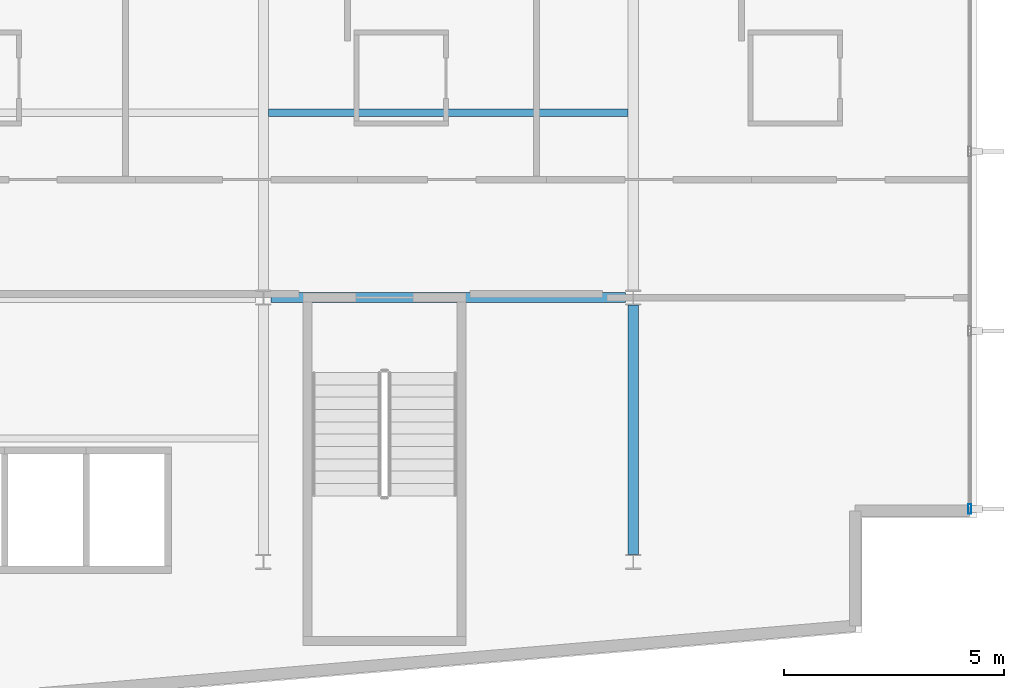
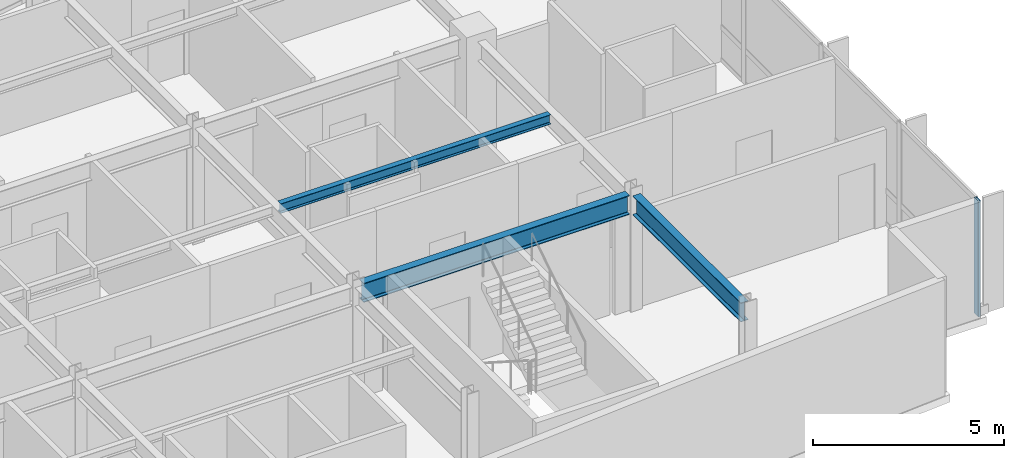
# One storey, part 4 of 20: 3 beams, 1 member, 1 element without a shape of its own.
"""IFC4 building model written with IfcOpenShell, lengths in metres."""

from ifc_helpers import new_model, si_unit, direction, frame, origin, origin_2d, place, context, subcontext, project, spatial, hollow_rectangle, i_section, extrude, material, layer, layer_set, material_profile, profile_set, type_object, element, aggregate, save


model = new_model("IFC4")

# Units and contexts
model_context = context("Model", 3, precision=1e-05, world=origin(), true_north=direction((0.0, 1.0)))
body_context = subcontext(model_context, "Body", "Model", "MODEL_VIEW")
ifc_project = project(units=[si_unit("LENGTHUNIT", "METRE"), si_unit("AREAUNIT", "SQUARE_METRE"), si_unit("VOLUMEUNIT", "CUBIC_METRE"), si_unit("PLANEANGLEUNIT", "RADIAN"), si_unit("MASSUNIT", "GRAM", prefix="KILO")], contexts=[model_context])

# Site, building, storey
site_placement = place(None, origin())
site = spatial("IfcSite", under=ifc_project, at=site_placement, CompositionType="ELEMENT")
building_placement = place(site_placement, origin())
building = spatial("IfcBuilding", under=site, at=building_placement, Name="Varnakote Quay Hospital", CompositionType="ELEMENT")
storey_placement = place(building_placement, frame((0.0, 0.0, 26.449951171875)))
storey = spatial("IfcBuildingStorey", under=building, at=storey_placement, Name="L06", CompositionType="ELEMENT", Elevation=26.449951171875)

# Beams
ifc_material_1 = material(Name="Structural steel AS/NZS 3679.1 Grade 350 L0 (fy 340 MPa)", Category="steel")
ifc_material_profile_1 = material_profile(ifc_material_1, i_section(OverallWidth=0.22900390625, OverallDepth=0.612060546875, WebThickness=0.011962890625, FlangeThickness=0.01953125, FilletRadius=0.013916015625, at=origin_2d()), Name="610UB125")
ifc_profile_set_1 = profile_set([ifc_material_profile_1], Name="Structural steel AS/NZS 3679.1 Grade 350 L0 (fy 340 MPa)")
beam_type_1 = type_object("IfcBeamType", Name="BM-STL-610UB125", PredefinedType="BEAM", material=ifc_profile_set_1)
beam_1_placement = place(storey_placement, frame((42.175048828125, 12.0, 3.404052734375), z_axis=(1.0, 0.0, 0.0), x_axis=(0.0, 1.0, 0.0)))
element("IfcBeam", 1, at=beam_1_placement, inside=storey, type_object=beam_type_1, Name="L06 Primary Floor Beam", PredefinedType="BEAM", context=body_context, shape_type="SweptSolid", body=[
    extrude(i_section(OverallWidth=0.22900390625, OverallDepth=0.612060546875, WebThickness=0.011962890625, FlangeThickness=0.01953125, FilletRadius=0.013916015625, at=origin_2d()), origin(), (0.0, 0.0, 1.0), 8.050048828125),
])
beam_2_placement = place(storey_placement, frame((50.39990234375, 6.169921875, 3.404052734375), z_axis=(0.0, 1.0, 0.0), x_axis=(-1.0, 0.0, 0.0)))
element("IfcBeam", 2, at=beam_2_placement, inside=storey, type_object=beam_type_1, Name="L06 Primary Tie Beam", PredefinedType="BEAM", context=body_context, shape_type="SweptSolid", body=[
    extrude(i_section(OverallWidth=0.22900390625, OverallDepth=0.612060546875, WebThickness=0.011962890625, FlangeThickness=0.01953125, FilletRadius=0.013916015625, at=origin_2d()), origin(), (0.0, 0.0, 1.0), 5.66015625),
])

# Curtain wall, member
ifc_material_2 = material(Name="Anodised aluminium 6063-T6 Bronze", Category="aluminium")
ifc_layer = layer(ifc_material_2, 0.18994140625)
ifc_layer_set = layer_set([ifc_layer], Name="Anodised aluminium 6063-T6 Bronze")
curtain_wall_type = type_object("IfcCurtainWallType", Name="CW-SYS-2", PredefinedType="NOTDEFINED", material=ifc_layer_set)
curtain_wall_placement = place(storey_placement, origin())
curtain_wall = element("IfcCurtainWall", 3, at=curtain_wall_placement, inside=storey, type_object=curtain_wall_type, Name="L06 Unitised Bronze Curtain Wall 1", PredefinedType="NOTDEFINED")
ifc_material_3 = material(Name="Anodised aluminium 6063-T6 Bronze", Category="aluminium")
ifc_material_profile_2 = material_profile(ifc_material_3, hollow_rectangle(XDim=0.074951171875, YDim=0.219970703125, WallThickness=0.00439453125, InnerFilletRadius=0.00439453125, OuterFilletRadius=0.009033203125, at=origin_2d()), Name="CW-MULL-220x75")
ifc_profile_set_2 = profile_set([ifc_material_profile_2], Name="Anodised aluminium 6063-T6 Bronze")
member_type = type_object("IfcMemberType", Name="CW-MULL-220x75", PredefinedType="MULLION", material=ifc_profile_set_2)
member_placement = place(storey_placement, frame((58.0400390625, 7.197509765625, 0.0), z_axis=(0.0, 0.0, 1.0), x_axis=(-1.0, 0.0, 0.0)))
member = element("IfcMember", 4, at=member_placement, type_object=member_type, Name="-2-L06-1 mullion 1", PredefinedType="MULLION", context=body_context, shape_type="SweptSolid", body=[
    extrude(hollow_rectangle(XDim=0.074951171875, YDim=0.219970703125, WallThickness=0.00439453125, InnerFilletRadius=0.00439453125, OuterFilletRadius=0.009033203125, at=origin_2d()), origin(), (0.0, 0.0, 1.0), 3.7099609375),
])
aggregate(curtain_wall, [member])

# Beam
ifc_material_4 = material(Name="Structural steel AS/NZS 3679.1 Grade 350 L0 (fy 340 MPa)", Category="steel")
ifc_material_profile_3 = material_profile(ifc_material_4, i_section(OverallWidth=0.166015625, OverallDepth=0.306884765625, WebThickness=0.006591796875, FlangeThickness=0.01171875, FilletRadius=0.011474609375, at=origin_2d()), Name="310UB46.2")
ifc_profile_set_3 = profile_set([ifc_material_profile_3], Name="Structural steel AS/NZS 3679.1 Grade 350 L0 (fy 340 MPa)")
beam_type_2 = type_object("IfcBeamType", Name="JST-STL-310UB46-2", PredefinedType="JOIST", material=ifc_profile_set_3)
beam_3_placement = place(storey_placement, frame((42.114501953125, 16.199951171875, 3.556640625), z_axis=(1.0, 0.0, 0.0), x_axis=(0.0, 1.0, 0.0)))
element("IfcBeam", 5, at=beam_3_placement, inside=storey, type_object=beam_type_2, Name="L06 Composite Floor Joist", PredefinedType="JOIST", context=body_context, shape_type="SweptSolid", body=[
    extrude(i_section(OverallWidth=0.166015625, OverallDepth=0.306884765625, WebThickness=0.006591796875, FlangeThickness=0.01171875, FilletRadius=0.011474609375, at=origin_2d()), origin(), (0.0, 0.0, 1.0), 8.1708984375),
])

save(model, "model.ifc")
